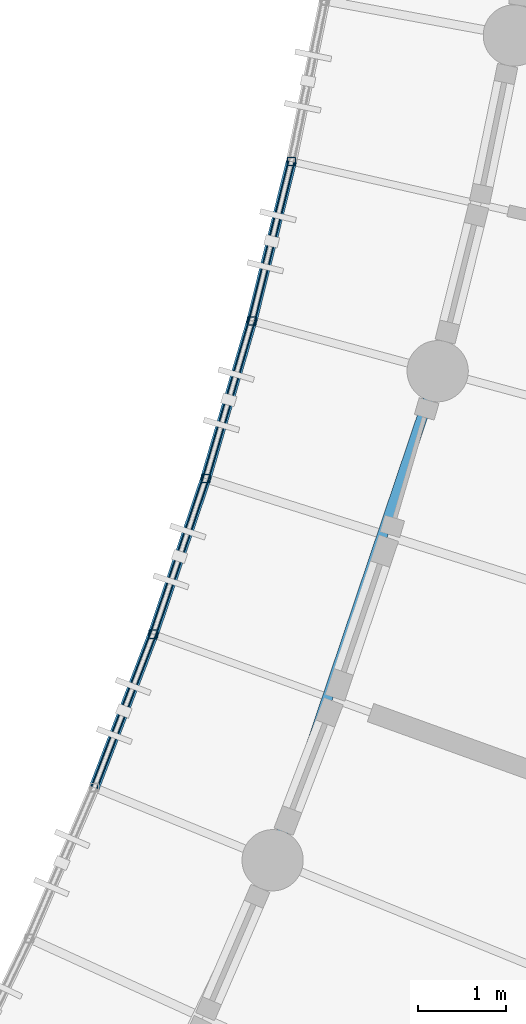
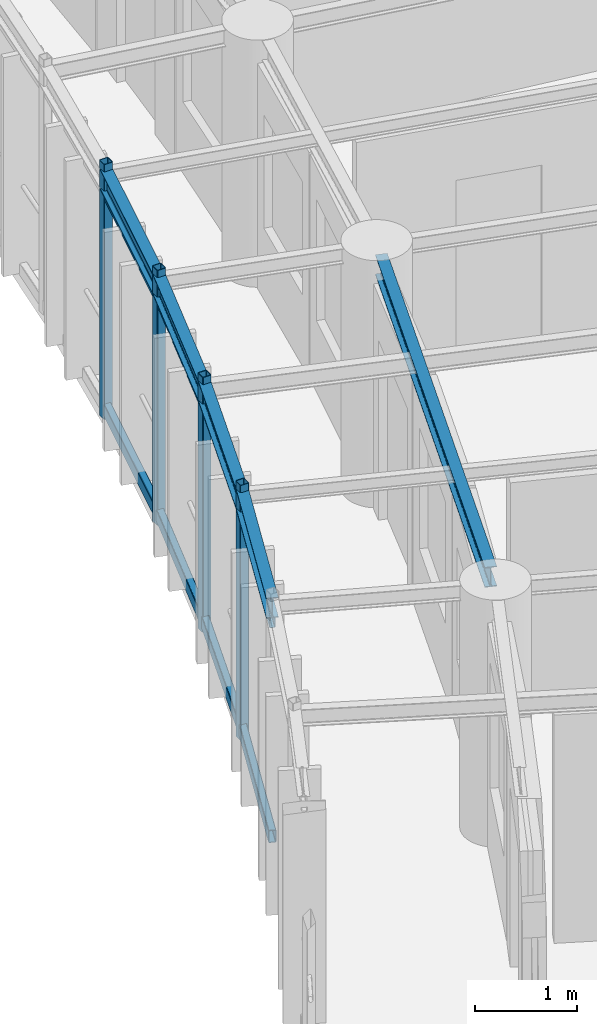
# One storey, part 14 of 123: 12 members, 5 beams.
"""IFC4 building model written with IfcOpenShell, lengths in metres."""

from ifc_helpers import new_model, si_unit, direction, frame, origin, origin_2d, place, context, subcontext, project, spatial, hollow_rectangle, i_section, extrude, material, material_profile, profile_set, type_object, element, save


model = new_model("IFC4")

# Units and contexts
model_context = context("Model", 3, precision=1e-05, world=origin(), true_north=direction((0.0, 1.0)))
body_context = subcontext(model_context, "Body", "Model", "MODEL_VIEW")
ifc_project = project(units=[si_unit("LENGTHUNIT", "METRE"), si_unit("AREAUNIT", "SQUARE_METRE"), si_unit("VOLUMEUNIT", "CUBIC_METRE"), si_unit("PLANEANGLEUNIT", "RADIAN"), si_unit("MASSUNIT", "GRAM", prefix="KILO"), si_unit("POWERUNIT", "WATT"), si_unit("THERMODYNAMICTEMPERATUREUNIT", "KELVIN")], contexts=[model_context])

# Site, building, storey
site_placement = place(None, origin())
site = spatial("IfcSite", under=ifc_project, at=site_placement, CompositionType="ELEMENT")
building_placement = place(site_placement, origin())
building = spatial("IfcBuilding", under=site, at=building_placement, Name="Ruvembo Vaulted Housing Court", CompositionType="ELEMENT")
storey_placement = place(building_placement, frame((0.0, 0.0, 7.699951171875)))
storey = spatial("IfcBuildingStorey", under=building, at=storey_placement, Name="L02", CompositionType="ELEMENT", Elevation=7.699951171875)

# Beams
ifc_material = material(Name="Steel S355J2", Category="steel")
ifc_material_profile_1 = material_profile(ifc_material, i_section(OverallWidth=0.1201171875, OverallDepth=0.239990234375, WebThickness=0.006103515625, FlangeThickness=0.009765625, FilletRadius=0.014892578125, at=origin_2d()), Name="IPE 240")
ifc_profile_set_1 = profile_set([ifc_material_profile_1], Name="Steel S355J2")
beam_type = type_object("IfcBeamType", Name="BM-ST-IPE240", PredefinedType="BEAM", material=ifc_profile_set_1)
beam_1_placement = place(storey_placement, frame((46.523681640625, 56.101806640625, 2.822021484375), z_axis=(0.319795272314, 0.947486666822, 0.0), x_axis=(-0.947486666822, 0.319795272314, 0.0)))
element("IfcBeam", 1, at=beam_1_placement, inside=storey, type_object=beam_type, Name="Scoop SC1 L02 Chord Girder F9", PredefinedType="BEAM", context=body_context, shape_type="SweptSolid", body=[
    extrude(i_section(OverallWidth=0.1201171875, OverallDepth=0.239990234375, WebThickness=0.006103515625, FlangeThickness=0.009765625, FilletRadius=0.014892578125, at=origin_2d()), origin(), (0.0, 0.0, 1.0), 5.43701171875),
])
beam_2_placement = place(storey_placement, frame((44.41259765625, 56.714111328125, 2.820068359375), z_axis=(0.358368836189, 0.933580086146, 0.0), x_axis=(-0.933580086146, 0.358368836189, 0.0)))
element("IfcBeam", 2, at=beam_2_placement, inside=storey, type_object=beam_type, Name="Scoop SC1 L02 Balcony Edge Spandrel 9", PredefinedType="BEAM", context=body_context, shape_type="SweptSolid", body=[
    extrude(i_section(OverallWidth=0.1201171875, OverallDepth=0.239990234375, WebThickness=0.006103515625, FlangeThickness=0.009765625, FilletRadius=0.014892578125, at=origin_2d()), origin(), (0.0, 0.0, 1.0), 1.876953125),
])
beam_3_placement = place(storey_placement, frame((45.085205078125, 58.46630859375, 2.820068359375), z_axis=(0.319933403304, 0.947440033696, 0.0), x_axis=(-0.947440033696, 0.319933403304, 0.0)))
element("IfcBeam", 3, at=beam_3_placement, inside=storey, type_object=beam_type, Name="Scoop SC1 L02 Balcony Edge Spandrel 10", PredefinedType="BEAM", context=body_context, shape_type="SweptSolid", body=[
    extrude(i_section(OverallWidth=0.1201171875, OverallDepth=0.239990234375, WebThickness=0.006103515625, FlangeThickness=0.009765625, FilletRadius=0.014892578125, at=origin_2d()), origin(), (0.0, 0.0, 1.0), 1.87646484375),
])
for number, where, z_axis, x_axis, name in (
    (4, (45.685546875, 60.244140625, 2.820068359375), (0.280729242843, 0.959787003565, 0.0), (-0.959787003565, 0.280729242843, 0.0), "Scoop SC1 L02 Balcony Edge Spandrel 11"),
    (5, (46.21240234375, 62.04541015625, 2.820068359375), (0.241066038615, 0.970508714555, 0.0), (-0.970508714555, 0.241066038615, 0.0), "Scoop SC1 L02 Balcony Edge Spandrel 12"),
):
    element("IfcBeam", number, at=place(storey_placement, frame(where, z_axis=z_axis, x_axis=x_axis)), inside=storey, type_object=beam_type, Name=name, PredefinedType="BEAM", context=body_context, shape_type="SweptSolid", body=[
        extrude(i_section(OverallWidth=0.1201171875, OverallDepth=0.239990234375, WebThickness=0.006103515625, FlangeThickness=0.009765625, FilletRadius=0.014892578125, at=origin_2d()), origin(), (0.0, 0.0, 1.0), 1.876708984375),
    ])

# Members
ifc_material_profile_2 = material_profile(ifc_material, hollow_rectangle(XDim=0.06005859375, YDim=0.1201171875, WallThickness=0.0048828125, InnerFilletRadius=0.0048828125, OuterFilletRadius=0.010009765625, at=origin_2d()), Name="RHS 120x60x5")
ifc_profile_set_2 = profile_set([ifc_material_profile_2], Name="Steel S355J2")
member_type_1 = type_object("IfcMemberType", Name="MEM-CAR-RHS120", PredefinedType="CHORD", material=ifc_profile_set_2)
member_1_placement = place(storey_placement, frame((44.41259765625, 56.714111328125, 2.64306640625), z_axis=(0.358368836189, 0.933580086146, 0.0), x_axis=(-0.933580086146, 0.358368836189, 0.0)))
element("IfcMember", 6, at=member_1_placement, inside=storey, type_object=member_type_1, Name="Scoop SC1 L02 Upper Louvre Carrier Rail 9", PredefinedType="CHORD", context=body_context, shape_type="SweptSolid", body=[
    extrude(hollow_rectangle(XDim=0.06005859375, YDim=0.1201171875, WallThickness=0.0048828125, InnerFilletRadius=0.0048828125, OuterFilletRadius=0.010009765625, at=origin_2d()), origin(), (0.0, 0.0, 1.0), 1.876953125),
])
member_2_placement = place(storey_placement, frame((45.085205078125, 58.46630859375, 2.64306640625), z_axis=(0.319933403304, 0.947440033696, 0.0), x_axis=(-0.947440033696, 0.319933403304, 0.0)))
element("IfcMember", 7, at=member_2_placement, inside=storey, type_object=member_type_1, Name="Scoop SC1 L02 Upper Louvre Carrier Rail 10", PredefinedType="CHORD", context=body_context, shape_type="SweptSolid", body=[
    extrude(hollow_rectangle(XDim=0.06005859375, YDim=0.1201171875, WallThickness=0.0048828125, InnerFilletRadius=0.0048828125, OuterFilletRadius=0.010009765625, at=origin_2d()), origin(), (0.0, 0.0, 1.0), 1.87646484375),
])
for number, where, z_axis, x_axis, name in (
    (8, (45.685546875, 60.244140625, 2.64306640625), (0.280729242843, 0.959787003565, 0.0), (-0.959787003565, 0.280729242843, 0.0), "Scoop SC1 L02 Upper Louvre Carrier Rail 11"),
    (9, (46.21240234375, 62.04541015625, 2.64306640625), (0.241066038615, 0.970508714555, 0.0), (-0.970508714555, 0.241066038615, 0.0), "Scoop SC1 L02 Upper Louvre Carrier Rail 12"),
):
    element("IfcMember", number, at=place(storey_placement, frame(where, z_axis=z_axis, x_axis=x_axis)), inside=storey, type_object=member_type_1, Name=name, PredefinedType="CHORD", context=body_context, shape_type="SweptSolid", body=[
        extrude(hollow_rectangle(XDim=0.06005859375, YDim=0.1201171875, WallThickness=0.0048828125, InnerFilletRadius=0.0048828125, OuterFilletRadius=0.010009765625, at=origin_2d()), origin(), (0.0, 0.0, 1.0), 1.876708984375),
    ])
ifc_material_profile_3 = material_profile(ifc_material, hollow_rectangle(XDim=0.080078125, YDim=0.14990234375, WallThickness=0.00634765625, InnerFilletRadius=0.00634765625, OuterFilletRadius=0.0126953125, at=origin_2d()), Name="RHS 150x80x6.3")
ifc_profile_set_3 = profile_set([ifc_material_profile_3], Name="Steel S355J2")
member_type_2 = type_object("IfcMemberType", Name="MEM-CAR-RHS150", PredefinedType="CHORD", material=ifc_profile_set_3)
member_3_placement = place(storey_placement, frame((44.41259765625, 56.714111328125, 0.094970703125), z_axis=(0.358368836189, 0.933580086146, 0.0), x_axis=(-0.933580086146, 0.358368836189, 0.0)))
element("IfcMember", 10, at=member_3_placement, inside=storey, type_object=member_type_2, Name="Scoop SC1 L02 Lower Louvre Carrier Rail 9", PredefinedType="CHORD", context=body_context, shape_type="SweptSolid", body=[
    extrude(hollow_rectangle(XDim=0.080078125, YDim=0.14990234375, WallThickness=0.00634765625, InnerFilletRadius=0.00634765625, OuterFilletRadius=0.0126953125, at=origin_2d()), origin(), (0.0, 0.0, 1.0), 1.876953125),
])
member_4_placement = place(storey_placement, frame((45.085205078125, 58.46630859375, 0.094970703125), z_axis=(0.319933403304, 0.947440033696, 0.0), x_axis=(-0.947440033696, 0.319933403304, 0.0)))
element("IfcMember", 11, at=member_4_placement, inside=storey, type_object=member_type_2, Name="Scoop SC1 L02 Lower Louvre Carrier Rail 10", PredefinedType="CHORD", context=body_context, shape_type="SweptSolid", body=[
    extrude(hollow_rectangle(XDim=0.080078125, YDim=0.14990234375, WallThickness=0.00634765625, InnerFilletRadius=0.00634765625, OuterFilletRadius=0.0126953125, at=origin_2d()), origin(), (0.0, 0.0, 1.0), 1.87646484375),
])
for number, where, z_axis, x_axis, name in (
    (12, (45.685546875, 60.244140625, 0.094970703125), (0.280729242843, 0.959787003565, 0.0), (-0.959787003565, 0.280729242843, 0.0), "Scoop SC1 L02 Lower Louvre Carrier Rail 11"),
    (13, (46.21240234375, 62.04541015625, 0.094970703125), (0.241066038615, 0.970508714555, 0.0), (-0.970508714555, 0.241066038615, 0.0), "Scoop SC1 L02 Lower Louvre Carrier Rail 12"),
):
    element("IfcMember", number, at=place(storey_placement, frame(where, z_axis=z_axis, x_axis=x_axis)), inside=storey, type_object=member_type_2, Name=name, PredefinedType="CHORD", context=body_context, shape_type="SweptSolid", body=[
        extrude(hollow_rectangle(XDim=0.080078125, YDim=0.14990234375, WallThickness=0.00634765625, InnerFilletRadius=0.00634765625, OuterFilletRadius=0.0126953125, at=origin_2d()), origin(), (0.0, 0.0, 1.0), 1.876708984375),
    ])
ifc_material_profile_4 = material_profile(ifc_material, hollow_rectangle(XDim=0.10009765625, YDim=0.10009765625, WallThickness=0.00634765625, InnerFilletRadius=0.00634765625, OuterFilletRadius=0.0126953125, at=origin_2d()), Name="SHS 100x100x6.3")
ifc_profile_set_4 = profile_set([ifc_material_profile_4], Name="Steel S355J2")
member_type_3 = type_object("IfcMemberType", Name="MEM-FRM-SHS100", PredefinedType="STRUT", material=ifc_profile_set_4)
for number, where, z_axis, x_axis, name in (
    (14, (45.085205078125, 58.46630859375, -0.014892578125), (0.0, 0.0, 1.0), (1.0, 0.0, 0.0), "Scoop SC1 L02 Louvre Frame Post 10"),
    (15, (45.685546875, 60.244140625, -0.014892578125), (0.0, 0.0, 1.0), (1.0, 0.0, 0.0), "Scoop SC1 L02 Louvre Frame Post 11"),
    (16, (46.21240234375, 62.04541015625, -0.014892578125), (0.0, 0.0, 1.0), (1.0, 0.0, 0.0), "Scoop SC1 L02 Louvre Frame Post 12"),
    (17, (46.664794921875, 63.86669921875, -0.014892578125), (0.0, 0.0, 1.0), (1.0, 0.0, 0.0), "Scoop SC1 L02 Louvre Frame Post 13"),
):
    element("IfcMember", number, at=place(storey_placement, frame(where, z_axis=z_axis, x_axis=x_axis)), inside=storey, type_object=member_type_3, Name=name, PredefinedType="STRUT", context=body_context, shape_type="SweptSolid", body=[
        extrude(hollow_rectangle(XDim=0.10009765625, YDim=0.10009765625, WallThickness=0.00634765625, InnerFilletRadius=0.00634765625, OuterFilletRadius=0.0126953125, at=origin_2d()), origin(), (0.0, 0.0, 1.0), 3.041015625),
    ])

save(model, "model.ifc")
